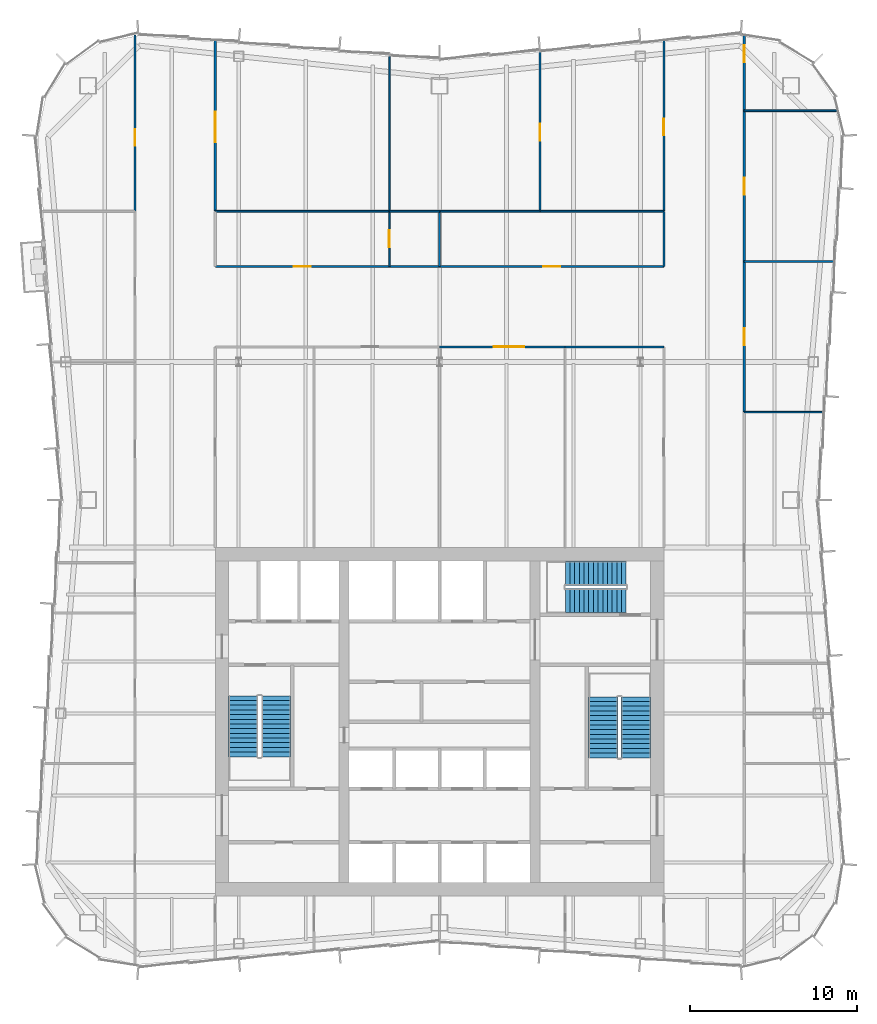
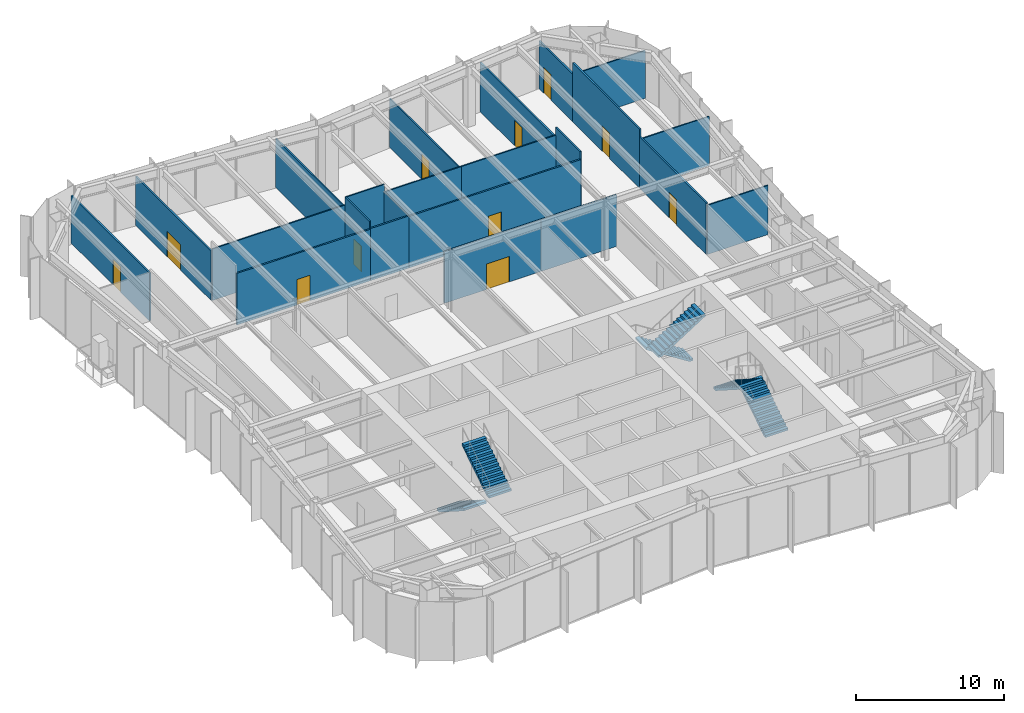
# One storey, part 13 of 15: 23 walls, 11 doors, 6 stair flights, 11 openings, 3 elements without a shape of their own.
"""IFC4 building model written with IfcOpenShell, lengths in metres."""

from ifc_helpers import new_model, si_unit, direction, frame, frame_2d, origin, place, context, subcontext, project, spatial, polyline, rectangle, outline, extrude, material, layer, layer_set, type_object, element, fill, aggregate, save


model = new_model("IFC4")

# Units and contexts
model_context = context("Model", 3, precision=1e-05, world=origin(), true_north=direction((0.0, 1.0)))
body_context = subcontext(model_context, "Body", "Model", "MODEL_VIEW")
ifc_project = project(units=[si_unit("LENGTHUNIT", "METRE"), si_unit("AREAUNIT", "SQUARE_METRE"), si_unit("VOLUMEUNIT", "CUBIC_METRE"), si_unit("PLANEANGLEUNIT", "RADIAN"), si_unit("MASSUNIT", "GRAM", prefix="KILO")], contexts=[model_context])

# Site, building, storey
site_placement = place(None, origin())
site = spatial("IfcSite", under=ifc_project, at=site_placement, CompositionType="ELEMENT")
building_placement = place(site_placement, origin())
building = spatial("IfcBuilding", under=site, at=building_placement, Name="Verdant Reach Tower", CompositionType="ELEMENT")
storey_placement = place(building_placement, frame((0.0, 0.0, 233.0)))
storey = spatial("IfcBuildingStorey", under=building, at=storey_placement, Name="L53", CompositionType="ELEMENT", Elevation=233.0)

# Walls
ifc_material_1 = material(Name="Gypsum board on steel studs", Category="steel")
ifc_layer_1 = layer(ifc_material_1, 0.10009765625)
ifc_layer_set_1 = layer_set([ifc_layer_1], Name="FL-W1 Partition 100")
wall_type_1 = type_object("IfcWallType", Name="FL-W1 Partition 100", PredefinedType="PARTITIONING", material=ifc_layer_set_1)
wall_1_placement = place(storey_placement, frame((22.942138671875, 46.5, 0.0), z_axis=(0.0, 0.0, 1.0), x_axis=(-1.0, 0.0, 0.0)))
element("IfcWall", 1, at=wall_1_placement, inside=storey, type_object=wall_type_1, Name="Partition 53.39", PredefinedType="PARTITIONING", context=body_context, shape_type="SweptSolid", body=[
    extrude(rectangle(XDim=4.7421875, YDim=0.10009765625, at=frame_2d((2.37109375, 0.0))), origin(), (0.0, 0.0, 1.0), 4.0400390625),
])
wall_2_placement = place(storey_placement, frame((23.562744140625, 55.5, 0.0), z_axis=(0.0, 0.0, 1.0), x_axis=(-1.0, 0.0, 0.0)))
element("IfcWall", 2, at=wall_2_placement, inside=storey, type_object=wall_type_1, Name="Partition 53.40", PredefinedType="PARTITIONING", context=body_context, shape_type="SweptSolid", body=[
    extrude(rectangle(XDim=5.36279296875, YDim=0.10009765625, at=frame_2d((2.681396484375, 0.0))), origin(), (0.0, 0.0, 1.0), 4.0400390625),
])
wall_3_placement = place(storey_placement, frame((23.781494140625, 64.5, 0.0), z_axis=(0.0, 0.0, 1.0), x_axis=(-1.0, 0.0, 0.0)))
element("IfcWall", 3, at=wall_3_placement, inside=storey, type_object=wall_type_1, Name="Partition 53.41", PredefinedType="PARTITIONING", context=body_context, shape_type="SweptSolid", body=[
    extrude(rectangle(XDim=5.58154296875, YDim=0.10009765625, at=frame_2d((2.790771484375, 0.0))), origin(), (0.0, 0.0, 1.0), 3.929931640625),
])

# Wall, opening, door
wall_4_placement = place(storey_placement, frame((-3.0, 58.5, 0.0), z_axis=(0.0, 0.0, 1.0), x_axis=(0.0, -1.0, 0.0)))
wall_4 = element("IfcWall", 4, at=wall_4_placement, inside=storey, type_object=wall_type_1, Name="Partition 53.48", PredefinedType="PARTITIONING", context=body_context, shape_type="SweptSolid", body=[
    extrude(rectangle(XDim=3.300048828125, YDim=0.10009765625, at=frame_2d((1.64990234375, 0.0))), origin(), (0.0, 0.0, 1.0), 4.8701171875),
])
opening_1_placement = place(wall_4_placement, frame((1.14990234375, 0.0, 0.0)))
opening_1 = element("IfcOpeningElement", 5, at=opening_1_placement, cuts=wall_4, Name="Opening D3", PredefinedType="OPENING", context=body_context, shape_type="SweptSolid", body=[
    extrude(rectangle(XDim=1.0, YDim=2.10009765625, at=frame_2d((0.5, 1.050048828125))), frame((0.0, 0.06005859375, 0.0), z_axis=(0.0, -1.0, 0.0), x_axis=(1.0, 0.0, 0.0)), (0.0, 0.0, 1.0), 0.1201171875),
])
ifc_material_2 = material(Name="Painted timber door leaf", Category="wood")
door_type_1 = type_object("IfcDoorType", Name="FL-D3 Door 1000x2100", OperationType="NOTDEFINED", PredefinedType="DOOR", material=ifc_material_2)
door_1_placement = place(opening_1_placement, origin())
door_1 = element("IfcDoor", 6, at=door_1_placement, inside=storey, type_object=door_type_1, Name="Door 53-027", OperationType="SINGLE_SWING_LEFT", OverallHeight=2.10009765625, OverallWidth=1.0, PredefinedType="DOOR", context=body_context, shape_type="SweptSolid", body=[
    extrude(rectangle(XDim=1.0, YDim=2.10009765625, at=frame_2d((0.5, 1.050048828125))), frame((0.0, 0.02490234375, 0.0), z_axis=(0.0, -1.0, 0.0), x_axis=(1.0, 0.0, 0.0)), (0.0, 0.0, 1.0), 0.050048828125),
])
fill(opening_1, door_1)

# Walls
wall_5_placement = place(storey_placement, frame((-3.0, 58.5, 0.0), z_axis=(0.0, 0.0, 1.0), x_axis=(-1.0, 0.0, 0.0)))
element("IfcWall", 7, at=wall_5_placement, inside=storey, type_object=wall_type_1, Name="Partition 53.49", PredefinedType="PARTITIONING", context=body_context, shape_type="SweptSolid", body=[
    extrude(rectangle(XDim=10.39990234375, YDim=0.10009765625, at=frame_2d((5.199951171875, 0.0))), origin(), (0.0, 0.0, 1.0), 4.239990234375),
])
wall_6_placement = place(storey_placement, frame((0.0, 55.199951171875, 0.0), z_axis=(0.0, 0.0, 1.0), x_axis=(0.0, 1.0, 0.0)))
element("IfcWall", 8, at=wall_6_placement, inside=storey, type_object=wall_type_1, Name="Partition 53.50", PredefinedType="PARTITIONING", context=body_context, shape_type="SweptSolid", body=[
    extrude(rectangle(XDim=3.300048828125, YDim=0.10009765625, at=frame_2d((1.64990234375, 0.0))), origin(), (0.0, 0.0, 1.0), 4.2900390625),
])
wall_7_placement = place(storey_placement, frame((0.00390625, 58.5, 0.0), z_axis=(0.0, 0.0, 1.0), x_axis=(-1.0, 0.0, 0.0)))
element("IfcWall", 9, at=wall_7_placement, inside=storey, type_object=wall_type_1, Name="Partition 53.51", PredefinedType="PARTITIONING", context=body_context, shape_type="SweptSolid", body=[
    extrude(rectangle(XDim=3.00390625, YDim=0.10009765625, at=frame_2d((1.501953125, 0.0))), origin(), (0.0, 0.0, 1.0), 4.8701171875),
])
wall_8_placement = place(storey_placement, frame((6.0, 58.5, 0.0), z_axis=(0.0, 0.0, 1.0), x_axis=(-1.0, 0.0, 0.0)))
element("IfcWall", 10, at=wall_8_placement, inside=storey, type_object=wall_type_1, Name="Partition 53.52", PredefinedType="PARTITIONING", context=body_context, shape_type="SweptSolid", body=[
    extrude(rectangle(XDim=6.00390625, YDim=0.10009765625, at=frame_2d((3.001953125, 0.0))), origin(), (0.0, 0.0, 1.0), 4.239990234375),
])
wall_9_placement = place(storey_placement, frame((13.39990234375, 58.5, 0.0), z_axis=(0.0, 0.0, 1.0), x_axis=(-1.0, 0.0, 0.0)))
element("IfcWall", 11, at=wall_9_placement, inside=storey, type_object=wall_type_1, Name="Partition 53.53", PredefinedType="PARTITIONING", context=body_context, shape_type="SweptSolid", body=[
    extrude(rectangle(XDim=7.39990234375, YDim=0.10009765625, at=frame_2d((3.699951171875, 0.0))), origin(), (0.0, 0.0, 1.0), 4.239990234375),
])
wall_10_placement = place(storey_placement, frame((-3.0, 58.5, 0.0), z_axis=(0.0, 0.0, 1.0), x_axis=(0.0, 1.0, 0.0)))
element("IfcWall", 12, at=wall_10_placement, inside=storey, type_object=wall_type_1, Name="Partition 53.54", PredefinedType="PARTITIONING", context=body_context, shape_type="SweptSolid", body=[
    extrude(rectangle(XDim=9.330078125, YDim=0.10009765625, at=frame_2d((4.6650390625, 0.0))), origin(), (0.0, 0.0, 1.0), 4.0400390625),
])

# Wall, opening, door
wall_11_placement = place(storey_placement, frame((6.0, 58.5, 0.0), z_axis=(0.0, 0.0, 1.0), x_axis=(0.0, 1.0, 0.0)))
wall_11 = element("IfcWall", 13, at=wall_11_placement, inside=storey, type_object=wall_type_1, Name="Partition 53.55", PredefinedType="PARTITIONING", context=body_context, shape_type="SweptSolid", body=[
    extrude(rectangle(XDim=9.580078125, YDim=0.10009765625, at=frame_2d((4.7900390625, 0.0))), origin(), (0.0, 0.0, 1.0), 4.0400390625),
])
opening_2_placement = place(wall_11_placement, frame((4.224853515625, 0.0, 0.0)))
opening_2 = element("IfcOpeningElement", 14, at=opening_2_placement, cuts=wall_11, Name="Opening D3", PredefinedType="OPENING", context=body_context, shape_type="SweptSolid", body=[
    extrude(rectangle(XDim=1.0, YDim=2.10009765625, at=frame_2d((0.5, 1.050048828125))), frame((0.0, 0.06005859375, 0.0), z_axis=(0.0, -1.0, 0.0), x_axis=(1.0, 0.0, 0.0)), (0.0, 0.0, 1.0), 0.1201171875),
])
door_2_placement = place(opening_2_placement, origin())
door_2 = element("IfcDoor", 15, at=door_2_placement, inside=storey, type_object=door_type_1, Name="Door 53-028", OperationType="SINGLE_SWING_LEFT", OverallHeight=2.10009765625, OverallWidth=1.0, PredefinedType="DOOR", context=body_context, shape_type="SweptSolid", body=[
    extrude(rectangle(XDim=1.0, YDim=2.10009765625, at=frame_2d((0.5, 1.050048828125))), frame((0.0, 0.02490234375, 0.0), z_axis=(0.0, -1.0, 0.0), x_axis=(1.0, 0.0, 0.0)), (0.0, 0.0, 1.0), 0.050048828125),
])
fill(opening_2, door_2)

ifc_material_3 = material(Name="Gypsum board on steel studs, fire rated", Category="steel")
ifc_layer_2 = layer(ifc_material_3, 0.125)
ifc_layer_set_2 = layer_set([ifc_layer_2], Name="FL-W2 Corridor wall 125")
wall_type_2 = type_object("IfcWallType", Name="FL-W2 Corridor wall 125", PredefinedType="PARTITIONING", material=ifc_layer_set_2)
wall_12_placement = place(storey_placement, frame((-18.199951171875, 58.5, 0.0), z_axis=(0.0, 0.0, 1.0), x_axis=(0.0, 1.0, 0.0)))
wall_12 = element("IfcWall", 16, at=wall_12_placement, inside=storey, type_object=wall_type_2, Name="Partition 53.06", PredefinedType="PARTITIONING", context=body_context, shape_type="SweptSolid", body=[
    extrude(rectangle(XDim=10.540283203125, YDim=0.125, at=frame_2d((5.27001953125, 0.0))), origin(), (0.0, 0.0, 1.0), 3.929931640625),
])
opening_3_placement = place(wall_12_placement, frame((3.904541015625, 0.0, 0.0)))
opening_3 = element("IfcOpeningElement", 17, at=opening_3_placement, cuts=wall_12, Name="Opening D2", PredefinedType="OPENING", context=body_context, shape_type="SweptSolid", body=[
    extrude(rectangle(XDim=1.0, YDim=2.10009765625, at=frame_2d((0.5, 1.050048828125))), frame((0.0, 0.072509765625, 0.0), z_axis=(0.0, -1.0, 0.0), x_axis=(1.0, 0.0, 0.0)), (0.0, 0.0, 1.0), 0.14501953125),
])
ifc_material_4 = material(Name="Timber door leaf, fire rated", Category="wood")
door_type_2 = type_object("IfcDoorType", Name="FL-D2 Entrance door 1000x2100 FD30", OperationType="NOTDEFINED", PredefinedType="DOOR", material=ifc_material_4)
door_3_placement = place(opening_3_placement, origin())
door_3 = element("IfcDoor", 18, at=door_3_placement, inside=storey, type_object=door_type_2, Name="Door 53-006", OperationType="SINGLE_SWING_LEFT", OverallHeight=2.10009765625, OverallWidth=1.0, PredefinedType="DOOR", context=body_context, shape_type="SweptSolid", body=[
    extrude(rectangle(XDim=1.0, YDim=2.10009765625, at=frame_2d((0.5, 1.050048828125))), frame((0.0, 0.02490234375, 0.0), z_axis=(0.0, -1.0, 0.0), x_axis=(1.0, 0.0, 0.0)), (0.0, 0.0, 1.0), 0.050048828125),
])
fill(opening_3, door_3)

wall_13_placement = place(storey_placement, frame((18.199951171875, 55.5, 0.0), z_axis=(0.0, 0.0, 1.0), x_axis=(0.0, -1.0, 0.0)))
wall_13 = element("IfcWall", 19, at=wall_13_placement, inside=storey, type_object=wall_type_2, Name="Partition 53.12", PredefinedType="PARTITIONING", context=body_context, shape_type="SweptSolid", body=[
    extrude(rectangle(XDim=9.0, YDim=0.125, at=frame_2d((4.5, 0.0))), origin(), (0.0, 0.0, 1.0), 4.239990234375),
])
opening_4_placement = place(wall_13_placement, frame((4.0, 0.0, 0.0)))
opening_4 = element("IfcOpeningElement", 20, at=opening_4_placement, cuts=wall_13, Name="Opening D2", PredefinedType="OPENING", context=body_context, shape_type="SweptSolid", body=[
    extrude(rectangle(XDim=1.0, YDim=2.10009765625, at=frame_2d((0.5, 1.050048828125))), frame((0.0, 0.072509765625, 0.0), z_axis=(0.0, -1.0, 0.0), x_axis=(1.0, 0.0, 0.0)), (0.0, 0.0, 1.0), 0.14501953125),
])
door_4_placement = place(opening_4_placement, origin())
door_4 = element("IfcDoor", 21, at=door_4_placement, inside=storey, type_object=door_type_2, Name="Door 53-012", OperationType="SINGLE_SWING_RIGHT", OverallHeight=2.10009765625, OverallWidth=1.0, PredefinedType="DOOR", context=body_context, shape_type="SweptSolid", body=[
    extrude(rectangle(XDim=1.0, YDim=2.10009765625, at=frame_2d((0.5, 1.050048828125))), frame((0.0, 0.02490234375, 0.0), z_axis=(0.0, -1.0, 0.0), x_axis=(1.0, 0.0, 0.0)), (0.0, 0.0, 1.0), 0.050048828125),
])
fill(opening_4, door_4)

wall_14_placement = place(storey_placement, frame((18.199951171875, 64.5, 0.0), z_axis=(0.0, 0.0, 1.0), x_axis=(0.0, -1.0, 0.0)))
wall_14 = element("IfcWall", 22, at=wall_14_placement, inside=storey, type_object=wall_type_2, Name="Partition 53.13", PredefinedType="PARTITIONING", context=body_context, shape_type="SweptSolid", body=[
    extrude(rectangle(XDim=9.0, YDim=0.125, at=frame_2d((4.5, 0.0))), origin(), (0.0, 0.0, 1.0), 4.8701171875),
])
opening_5_placement = place(wall_14_placement, frame((4.0, 0.0, 0.0)))
opening_5 = element("IfcOpeningElement", 23, at=opening_5_placement, cuts=wall_14, Name="Opening D2", PredefinedType="OPENING", context=body_context, shape_type="SweptSolid", body=[
    extrude(rectangle(XDim=1.0, YDim=2.10009765625, at=frame_2d((0.5, 1.050048828125))), frame((0.0, 0.072509765625, 0.0), z_axis=(0.0, -1.0, 0.0), x_axis=(1.0, 0.0, 0.0)), (0.0, 0.0, 1.0), 0.14501953125),
])
door_5_placement = place(opening_5_placement, origin())
door_5 = element("IfcDoor", 24, at=door_5_placement, inside=storey, type_object=door_type_2, Name="Door 53-013", OperationType="SINGLE_SWING_LEFT", OverallHeight=2.10009765625, OverallWidth=1.0, PredefinedType="DOOR", context=body_context, shape_type="SweptSolid", body=[
    extrude(rectangle(XDim=1.0, YDim=2.10009765625, at=frame_2d((0.5, 1.050048828125))), frame((0.0, 0.02490234375, 0.0), z_axis=(0.0, -1.0, 0.0), x_axis=(1.0, 0.0, 0.0)), (0.0, 0.0, 1.0), 0.050048828125),
])
fill(opening_5, door_5)

wall_15_placement = place(storey_placement, frame((18.199951171875, 69.040283203125, 0.0), z_axis=(0.0, 0.0, 1.0), x_axis=(0.0, -1.0, 0.0)))
wall_15 = element("IfcWall", 25, at=wall_15_placement, inside=storey, type_object=wall_type_2, Name="Partition 53.14", PredefinedType="PARTITIONING", context=body_context, shape_type="SweptSolid", body=[
    extrude(rectangle(XDim=4.540283203125, YDim=0.125, at=frame_2d((2.27001953125, 0.0))), origin(), (0.0, 0.0, 1.0), 3.929931640625),
])
opening_6_placement = place(wall_15_placement, frame((0.635498046875, 0.0, 0.0)))
opening_6 = element("IfcOpeningElement", 26, at=opening_6_placement, cuts=wall_15, Name="Opening D2", PredefinedType="OPENING", context=body_context, shape_type="SweptSolid", body=[
    extrude(rectangle(XDim=1.0, YDim=2.10009765625, at=frame_2d((0.5, 1.050048828125))), frame((0.0, 0.072509765625, 0.0), z_axis=(0.0, -1.0, 0.0), x_axis=(1.0, 0.0, 0.0)), (0.0, 0.0, 1.0), 0.14501953125),
])
door_6_placement = place(opening_6_placement, origin())
door_6 = element("IfcDoor", 27, at=door_6_placement, inside=storey, type_object=door_type_2, Name="Door 53-014", OperationType="SINGLE_SWING_LEFT", OverallHeight=2.10009765625, OverallWidth=1.0, PredefinedType="DOOR", context=body_context, shape_type="SweptSolid", body=[
    extrude(rectangle(XDim=1.0, YDim=2.10009765625, at=frame_2d((0.5, 1.050048828125))), frame((0.0, 0.02490234375, 0.0), z_axis=(0.0, -1.0, 0.0), x_axis=(1.0, 0.0, 0.0)), (0.0, 0.0, 1.0), 0.050048828125),
])
fill(opening_6, door_6)

# Wall
wall_16_placement = place(storey_placement, frame((13.39990234375, 50.39990234375, 0.0), z_axis=(0.0, 0.0, 1.0), x_axis=(-1.0, 0.0, 0.0)))
element("IfcWall", 28, at=wall_16_placement, inside=storey, type_object=wall_type_2, Name="Partition 53.20", PredefinedType="PARTITIONING", context=body_context, shape_type="SweptSolid", body=[
    extrude(rectangle(XDim=5.89990234375, YDim=0.125, at=frame_2d((2.949951171875, 0.0))), origin(), (0.0, 0.0, 1.0), 4.239990234375),
])

# Wall, opening, door
wall_17_placement = place(storey_placement, frame((7.5, 50.39990234375, 0.0), z_axis=(0.0, 0.0, 1.0), x_axis=(-1.0, 0.0, 0.0)))
wall_17 = element("IfcWall", 29, at=wall_17_placement, inside=storey, type_object=wall_type_2, Name="Partition 53.22", PredefinedType="PARTITIONING", context=body_context, shape_type="SweptSolid", body=[
    extrude(rectangle(XDim=7.5, YDim=0.125, at=frame_2d((3.75, 0.0))), origin(), (0.0, 0.0, 1.0), 4.239990234375),
])
opening_7_placement = place(wall_17_placement, frame((2.449951171875, 0.0, 0.0)))
opening_7 = element("IfcOpeningElement", 30, at=opening_7_placement, cuts=wall_17, Name="Opening D4", PredefinedType="OPENING", context=body_context, shape_type="SweptSolid", body=[
    extrude(rectangle(XDim=1.800048828125, YDim=2.10009765625, at=frame_2d((0.89990234375, 1.050048828125))), frame((0.0, 0.072509765625, 0.0), z_axis=(0.0, -1.0, 0.0), x_axis=(1.0, 0.0, 0.0)), (0.0, 0.0, 1.0), 0.14501953125),
])
ifc_material_5 = material(Name="Timber door leaves, fire rated", Category="wood")
door_type_3 = type_object("IfcDoorType", Name="FL-D4 Double door 1800x2100 FD30", OperationType="DOUBLE_DOOR_SINGLE_SWING", PredefinedType="DOOR", material=ifc_material_5)
door_7_placement = place(opening_7_placement, origin())
door_7 = element("IfcDoor", 31, at=door_7_placement, inside=storey, type_object=door_type_3, Name="Door 53-020", OperationType="DOUBLE_DOOR_SINGLE_SWING", OverallHeight=2.10009765625, OverallWidth=1.800048828125, PredefinedType="DOOR", context=body_context, shape_type="SweptSolid", body=[
    extrude(rectangle(XDim=1.800048828125, YDim=2.10009765625, at=frame_2d((0.89990234375, 1.050048828125))), frame((0.0, 0.02490234375, 0.0), z_axis=(0.0, -1.0, 0.0), x_axis=(1.0, 0.0, 0.0)), (0.0, 0.0, 1.0), 0.050048828125),
])
fill(opening_7, door_7)

wall_18_placement = place(storey_placement, frame((-13.39990234375, 55.199951171875, 0.0), z_axis=(0.0, 0.0, 1.0), x_axis=(1.0, 0.0, 0.0)))
wall_18 = element("IfcWall", 32, at=wall_18_placement, inside=storey, type_object=wall_type_2, Name="Partition 53.23", PredefinedType="PARTITIONING", context=body_context, shape_type="SweptSolid", body=[
    extrude(rectangle(XDim=10.39990234375, YDim=0.125, at=frame_2d((5.199951171875, 0.0))), origin(), (0.0, 0.0, 1.0), 4.239990234375),
])
opening_8_placement = place(wall_18_placement, frame((4.699951171875, 0.0, 0.0)))
opening_8 = element("IfcOpeningElement", 33, at=opening_8_placement, cuts=wall_18, Name="Opening D2", PredefinedType="OPENING", context=body_context, shape_type="SweptSolid", body=[
    extrude(rectangle(XDim=1.0, YDim=2.10009765625, at=frame_2d((0.5, 1.050048828125))), frame((0.0, 0.072509765625, 0.0), z_axis=(0.0, -1.0, 0.0), x_axis=(1.0, 0.0, 0.0)), (0.0, 0.0, 1.0), 0.14501953125),
])
door_8_placement = place(opening_8_placement, origin())
door_8 = element("IfcDoor", 34, at=door_8_placement, inside=storey, type_object=door_type_2, Name="Door 53-021", OperationType="SINGLE_SWING_LEFT", OverallHeight=2.10009765625, OverallWidth=1.0, PredefinedType="DOOR", context=body_context, shape_type="SweptSolid", body=[
    extrude(rectangle(XDim=1.0, YDim=2.10009765625, at=frame_2d((0.5, 1.050048828125))), frame((0.0, 0.02490234375, 0.0), z_axis=(0.0, -1.0, 0.0), x_axis=(1.0, 0.0, 0.0)), (0.0, 0.0, 1.0), 0.050048828125),
])
fill(opening_8, door_8)

# Walls
wall_19_placement = place(storey_placement, frame((0.0, 55.199951171875, 0.0), z_axis=(0.0, 0.0, 1.0), x_axis=(-1.0, 0.0, 0.0)))
element("IfcWall", 35, at=wall_19_placement, inside=storey, type_object=wall_type_2, Name="Partition 53.25", PredefinedType="PARTITIONING", context=body_context, shape_type="SweptSolid", body=[
    extrude(rectangle(XDim=3.0, YDim=0.125, at=frame_2d((1.5, 0.0))), origin(), (0.0, 0.0, 1.0), 4.2900390625),
])
wall_20_placement = place(storey_placement, frame((13.39990234375, 55.199951171875, 0.0), z_axis=(0.0, 0.0, 1.0), x_axis=(0.0, 1.0, 0.0)))
element("IfcWall", 36, at=wall_20_placement, inside=storey, type_object=wall_type_2, Name="Partition 53.26", PredefinedType="PARTITIONING", context=body_context, shape_type="SweptSolid", body=[
    extrude(rectangle(XDim=3.300048828125, YDim=0.125, at=frame_2d((1.64990234375, 0.0))), origin(), (0.0, 0.0, 1.0), 4.8701171875),
])

# Wall, opening, door
wall_21_placement = place(storey_placement, frame((0.0, 55.199951171875, 0.0), z_axis=(0.0, 0.0, 1.0), x_axis=(1.0, 0.0, 0.0)))
wall_21 = element("IfcWall", 37, at=wall_21_placement, inside=storey, type_object=wall_type_2, Name="Partition 53.27", PredefinedType="PARTITIONING", context=body_context, shape_type="SweptSolid", body=[
    extrude(rectangle(XDim=13.39990234375, YDim=0.125, at=frame_2d((6.699951171875, 0.0))), origin(), (0.0, 0.0, 1.0), 4.239990234375),
])
opening_9_placement = place(wall_21_placement, frame((6.199951171875, 0.0, 0.0)))
opening_9 = element("IfcOpeningElement", 38, at=opening_9_placement, cuts=wall_21, Name="Opening D2", PredefinedType="OPENING", context=body_context, shape_type="SweptSolid", body=[
    extrude(rectangle(XDim=1.0, YDim=2.10009765625, at=frame_2d((0.5, 1.050048828125))), frame((0.0, 0.072509765625, 0.0), z_axis=(0.0, -1.0, 0.0), x_axis=(1.0, 0.0, 0.0)), (0.0, 0.0, 1.0), 0.14501953125),
])
door_9_placement = place(opening_9_placement, origin())
door_9 = element("IfcDoor", 39, at=door_9_placement, inside=storey, type_object=door_type_2, Name="Door 53-022", OperationType="SINGLE_SWING_RIGHT", OverallHeight=2.10009765625, OverallWidth=1.0, PredefinedType="DOOR", context=body_context, shape_type="SweptSolid", body=[
    extrude(rectangle(XDim=1.0, YDim=2.10009765625, at=frame_2d((0.5, 1.050048828125))), frame((0.0, 0.02490234375, 0.0), z_axis=(0.0, -1.0, 0.0), x_axis=(1.0, 0.0, 0.0)), (0.0, 0.0, 1.0), 0.050048828125),
])
fill(opening_9, door_9)

wall_22_placement = place(storey_placement, frame((-13.39990234375, 58.5, 0.0), z_axis=(0.0, 0.0, 1.0), x_axis=(0.0, 1.0, 0.0)))
wall_22 = element("IfcWall", 40, at=wall_22_placement, inside=storey, type_object=wall_type_2, Name="Partition 53.28", PredefinedType="PARTITIONING", context=body_context, shape_type="SweptSolid", body=[
    extrude(rectangle(XDim=10.19677734375, YDim=0.125, at=frame_2d((5.098388671875, 0.0))), origin(), (0.0, 0.0, 1.0), 4.0400390625),
])
opening_10_placement = place(wall_22_placement, frame((4.13330078125, 0.0, 0.0)))
opening_10 = element("IfcOpeningElement", 41, at=opening_10_placement, cuts=wall_22, Name="Opening D4", PredefinedType="OPENING", context=body_context, shape_type="SweptSolid", body=[
    extrude(rectangle(XDim=1.800048828125, YDim=2.10009765625, at=frame_2d((0.89990234375, 1.050048828125))), frame((0.0, 0.072509765625, 0.0), z_axis=(0.0, -1.0, 0.0), x_axis=(1.0, 0.0, 0.0)), (0.0, 0.0, 1.0), 0.14501953125),
])
door_10_placement = place(opening_10_placement, origin())
door_10 = element("IfcDoor", 42, at=door_10_placement, inside=storey, type_object=door_type_3, Name="Door 53-023", OperationType="DOUBLE_DOOR_SINGLE_SWING", OverallHeight=2.10009765625, OverallWidth=1.800048828125, PredefinedType="DOOR", context=body_context, shape_type="SweptSolid", body=[
    extrude(rectangle(XDim=1.800048828125, YDim=2.10009765625, at=frame_2d((0.89990234375, 1.050048828125))), frame((0.0, 0.02490234375, 0.0), z_axis=(0.0, -1.0, 0.0), x_axis=(1.0, 0.0, 0.0)), (0.0, 0.0, 1.0), 0.050048828125),
])
fill(opening_10, door_10)

wall_23_placement = place(storey_placement, frame((13.39990234375, 58.5, 0.0), z_axis=(0.0, 0.0, 1.0), x_axis=(0.0, 1.0, 0.0)))
wall_23 = element("IfcWall", 43, at=wall_23_placement, inside=storey, type_object=wall_type_2, Name="Partition 53.29", PredefinedType="PARTITIONING", context=body_context, shape_type="SweptSolid", body=[
    extrude(rectangle(XDim=10.19677734375, YDim=0.125, at=frame_2d((5.098388671875, 0.0))), origin(), (0.0, 0.0, 1.0), 4.0400390625),
])
opening_11_placement = place(wall_23_placement, frame((4.533203125, 0.0, 0.0)))
opening_11 = element("IfcOpeningElement", 44, at=opening_11_placement, cuts=wall_23, Name="Opening D2", PredefinedType="OPENING", context=body_context, shape_type="SweptSolid", body=[
    extrude(rectangle(XDim=1.0, YDim=2.10009765625, at=frame_2d((0.5, 1.050048828125))), frame((0.0, 0.072509765625, 0.0), z_axis=(0.0, -1.0, 0.0), x_axis=(1.0, 0.0, 0.0)), (0.0, 0.0, 1.0), 0.14501953125),
])
door_11_placement = place(opening_11_placement, origin())
door_11 = element("IfcDoor", 45, at=door_11_placement, inside=storey, type_object=door_type_2, Name="Door 53-024", OperationType="SINGLE_SWING_LEFT", OverallHeight=2.10009765625, OverallWidth=1.0, PredefinedType="DOOR", context=body_context, shape_type="SweptSolid", body=[
    extrude(rectangle(XDim=1.0, YDim=2.10009765625, at=frame_2d((0.5, 1.050048828125))), frame((0.0, 0.02490234375, 0.0), z_axis=(0.0, -1.0, 0.0), x_axis=(1.0, 0.0, 0.0)), (0.0, 0.0, 1.0), 0.050048828125),
])
fill(opening_11, door_11)

# Stair, stair flights
ifc_material_6 = material(Name="Concrete C40/50", Category="concrete")
stair_type = type_object("IfcStairType", Name="CO-STAIR", PredefinedType="HALF_TURN_STAIR", material=ifc_material_6)
stair_1_placement = place(storey_placement, origin())
stair_1 = element("IfcStair", 46, at=stair_1_placement, inside=storey, type_object=stair_type, Name="L53 Exit stair 1", PredefinedType="HALF_TURN_STAIR")
stair_flight_type = type_object("IfcStairFlightType", Name="CO-STAIR-FLIGHT", PredefinedType="STRAIGHT", material=ifc_material_6)
stair_flight_1_placement = place(storey_placement, frame((-11.72509765625, 29.550048828125, 0.0), z_axis=(0.0, 0.0, 1.0), x_axis=(0.0, -1.0, 0.0)))
stair_flight_1 = element("IfcStairFlight", 47, at=stair_flight_1_placement, type_object=stair_flight_type, Name="ST-1 flight 1", NumberOfRisers=14, NumberOfTreads=13, PredefinedType="STRAIGHT", RiserHeight=0.178571429, TreadLength=0.28, context=body_context, shape_type="SweptSolid", body=[
    extrude(outline(polyline([(0.0, 0.0), (0.0, 0.178466796875), (0.280029296875, 0.178466796875), (0.280029296875, 0.357177734375), (0.56005859375, 0.357177734375), (0.56005859375, 0.53564453125), (0.840087890625, 0.53564453125), (0.840087890625, 0.71435546875), (1.1201171875, 0.71435546875), (1.1201171875, 0.892822265625), (1.39990234375, 0.892822265625), (1.39990234375, 1.071533203125), (1.679931640625, 1.071533203125), (1.679931640625, 1.25), (1.9599609375, 1.25), (1.9599609375, 1.428466796875), (2.239990234375, 1.428466796875), (2.239990234375, 1.607177734375), (2.52001953125, 1.607177734375), (2.52001953125, 1.78564453125), (2.800048828125, 1.78564453125), (2.800048828125, 1.96435546875), (3.080078125, 1.96435546875), (3.080078125, 2.142822265625), (3.360107421875, 2.142822265625), (3.360107421875, 2.321533203125), (3.639892578125, 2.321533203125), (3.639892578125, 2.5), (3.639892578125, 2.1435546875), (0.27880859375, 0.0), (0.0, 0.0)])), frame((0.0, 0.875, 0.0), z_axis=(0.0, -1.0, 0.0), x_axis=(1.0, 0.0, 0.0)), (0.0, 0.0, 1.0), 1.75),
])
stair_flight_2_placement = place(storey_placement, frame((-9.77490234375, 25.909912109375, 2.5), z_axis=(0.0, 0.0, 1.0), x_axis=(0.0, 1.0, 0.0)))
stair_flight_2 = element("IfcStairFlight", 48, at=stair_flight_2_placement, type_object=stair_flight_type, Name="ST-1 flight 2", NumberOfRisers=14, NumberOfTreads=13, PredefinedType="STRAIGHT", RiserHeight=0.178571429, TreadLength=0.28, context=body_context, shape_type="SweptSolid", body=[
    extrude(outline(polyline([(0.0, 0.0), (0.0, 0.178466796875), (0.280029296875, 0.178466796875), (0.280029296875, 0.357177734375), (0.56005859375, 0.357177734375), (0.56005859375, 0.53564453125), (0.840087890625, 0.53564453125), (0.840087890625, 0.71435546875), (1.1201171875, 0.71435546875), (1.1201171875, 0.892822265625), (1.39990234375, 0.892822265625), (1.39990234375, 1.071533203125), (1.679931640625, 1.071533203125), (1.679931640625, 1.25), (1.9599609375, 1.25), (1.9599609375, 1.428466796875), (2.239990234375, 1.428466796875), (2.239990234375, 1.607177734375), (2.52001953125, 1.607177734375), (2.52001953125, 1.78564453125), (2.800048828125, 1.78564453125), (2.800048828125, 1.96435546875), (3.080078125, 1.96435546875), (3.080078125, 2.142822265625), (3.360107421875, 2.142822265625), (3.360107421875, 2.321533203125), (3.639892578125, 2.321533203125), (3.639892578125, 2.5), (3.639892578125, 2.1435546875), (0.27880859375, 0.0), (0.0, 0.0)])), frame((0.0, 0.875, 0.0), z_axis=(0.0, -1.0, 0.0), x_axis=(1.0, 0.0, 0.0)), (0.0, 0.0, 1.0), 1.75),
])
aggregate(stair_1, [stair_flight_1, stair_flight_2])

stair_2_placement = place(storey_placement, origin())
stair_2 = element("IfcStair", 49, at=stair_2_placement, inside=storey, type_object=stair_type, Name="L53 Exit stair 2", PredefinedType="HALF_TURN_STAIR")
stair_flight_3_placement = place(storey_placement, frame((11.72509765625, 25.85009765625, 0.0), z_axis=(0.0, 0.0, 1.0), x_axis=(0.0, 1.0, 0.0)))
stair_flight_3 = element("IfcStairFlight", 50, at=stair_flight_3_placement, type_object=stair_flight_type, Name="ST-2 flight 1", NumberOfRisers=14, NumberOfTreads=13, PredefinedType="STRAIGHT", RiserHeight=0.178571429, TreadLength=0.28, context=body_context, shape_type="SweptSolid", body=[
    extrude(outline(polyline([(0.0, 0.0), (0.0, 0.178466796875), (0.280029296875, 0.178466796875), (0.280029296875, 0.357177734375), (0.56005859375, 0.357177734375), (0.56005859375, 0.53564453125), (0.840087890625, 0.53564453125), (0.840087890625, 0.71435546875), (1.1201171875, 0.71435546875), (1.1201171875, 0.892822265625), (1.39990234375, 0.892822265625), (1.39990234375, 1.071533203125), (1.679931640625, 1.071533203125), (1.679931640625, 1.25), (1.9599609375, 1.25), (1.9599609375, 1.428466796875), (2.239990234375, 1.428466796875), (2.239990234375, 1.607177734375), (2.52001953125, 1.607177734375), (2.52001953125, 1.78564453125), (2.800048828125, 1.78564453125), (2.800048828125, 1.96435546875), (3.080078125, 1.96435546875), (3.080078125, 2.142822265625), (3.360107421875, 2.142822265625), (3.360107421875, 2.321533203125), (3.639892578125, 2.321533203125), (3.639892578125, 2.5), (3.639892578125, 2.1435546875), (0.27880859375, 0.0), (0.0, 0.0)])), frame((0.0, 0.875, 0.0), z_axis=(0.0, -1.0, 0.0), x_axis=(1.0, 0.0, 0.0)), (0.0, 0.0, 1.0), 1.75),
])
stair_flight_4_placement = place(storey_placement, frame((9.77490234375, 29.489990234375, 2.5), z_axis=(0.0, 0.0, 1.0), x_axis=(0.0, -1.0, 0.0)))
stair_flight_4 = element("IfcStairFlight", 51, at=stair_flight_4_placement, type_object=stair_flight_type, Name="ST-2 flight 2", NumberOfRisers=14, NumberOfTreads=13, PredefinedType="STRAIGHT", RiserHeight=0.178571429, TreadLength=0.28, context=body_context, shape_type="SweptSolid", body=[
    extrude(outline(polyline([(0.0, 0.0), (0.0, 0.178466796875), (0.280029296875, 0.178466796875), (0.280029296875, 0.357177734375), (0.56005859375, 0.357177734375), (0.56005859375, 0.53564453125), (0.840087890625, 0.53564453125), (0.840087890625, 0.71435546875), (1.1201171875, 0.71435546875), (1.1201171875, 0.892822265625), (1.39990234375, 0.892822265625), (1.39990234375, 1.071533203125), (1.679931640625, 1.071533203125), (1.679931640625, 1.25), (1.9599609375, 1.25), (1.9599609375, 1.428466796875), (2.239990234375, 1.428466796875), (2.239990234375, 1.607177734375), (2.52001953125, 1.607177734375), (2.52001953125, 1.78564453125), (2.800048828125, 1.78564453125), (2.800048828125, 1.96435546875), (3.080078125, 1.96435546875), (3.080078125, 2.142822265625), (3.360107421875, 2.142822265625), (3.360107421875, 2.321533203125), (3.639892578125, 2.321533203125), (3.639892578125, 2.5), (3.639892578125, 2.1435546875), (0.27880859375, 0.0), (0.0, 0.0)])), frame((0.0, 0.875, 0.0), z_axis=(0.0, -1.0, 0.0), x_axis=(1.0, 0.0, 0.0)), (0.0, 0.0, 1.0), 1.75),
])
aggregate(stair_2, [stair_flight_3, stair_flight_4])

stair_3_placement = place(storey_placement, origin())
stair_3 = element("IfcStair", 52, at=stair_3_placement, inside=storey, type_object=stair_type, Name="L53 Exit stair 3", PredefinedType="HALF_TURN_STAIR")
stair_flight_5_placement = place(storey_placement, frame((11.14990234375, 36.875, 0.0), z_axis=(0.0, 0.0, 1.0), x_axis=(-1.0, 0.0, 0.0)))
stair_flight_5 = element("IfcStairFlight", 53, at=stair_flight_5_placement, type_object=stair_flight_type, Name="ST-3 flight 1", NumberOfRisers=14, NumberOfTreads=13, PredefinedType="STRAIGHT", RiserHeight=0.178571429, TreadLength=0.28, context=body_context, shape_type="SweptSolid", body=[
    extrude(outline(polyline([(0.0, 0.0), (0.0, 0.178466796875), (0.280029296875, 0.178466796875), (0.280029296875, 0.357177734375), (0.56005859375, 0.357177734375), (0.56005859375, 0.53564453125), (0.840087890625, 0.53564453125), (0.840087890625, 0.71435546875), (1.1201171875, 0.71435546875), (1.1201171875, 0.892822265625), (1.39990234375, 0.892822265625), (1.39990234375, 1.071533203125), (1.679931640625, 1.071533203125), (1.679931640625, 1.25), (1.9599609375, 1.25), (1.9599609375, 1.428466796875), (2.239990234375, 1.428466796875), (2.239990234375, 1.607177734375), (2.52001953125, 1.607177734375), (2.52001953125, 1.78564453125), (2.800048828125, 1.78564453125), (2.800048828125, 1.96435546875), (3.080078125, 1.96435546875), (3.080078125, 2.142822265625), (3.360107421875, 2.142822265625), (3.360107421875, 2.321533203125), (3.639892578125, 2.321533203125), (3.639892578125, 2.5), (3.639892578125, 2.1435546875), (0.27880859375, 0.0), (0.0, 0.0)])), frame((0.0, 0.72509765625, 0.0), z_axis=(0.0, -1.0, 0.0), x_axis=(1.0, 0.0, 0.0)), (0.0, 0.0, 1.0), 1.449951171875),
])
stair_flight_6_placement = place(storey_placement, frame((7.510009765625, 35.22509765625, 2.5), z_axis=(0.0, 0.0, 1.0), x_axis=(1.0, 0.0, 0.0)))
stair_flight_6 = element("IfcStairFlight", 54, at=stair_flight_6_placement, type_object=stair_flight_type, Name="ST-3 flight 2", NumberOfRisers=14, NumberOfTreads=13, PredefinedType="STRAIGHT", RiserHeight=0.178571429, TreadLength=0.28, context=body_context, shape_type="SweptSolid", body=[
    extrude(outline(polyline([(0.0, 0.0), (0.0, 0.178466796875), (0.280029296875, 0.178466796875), (0.280029296875, 0.357177734375), (0.56005859375, 0.357177734375), (0.56005859375, 0.53564453125), (0.840087890625, 0.53564453125), (0.840087890625, 0.71435546875), (1.1201171875, 0.71435546875), (1.1201171875, 0.892822265625), (1.39990234375, 0.892822265625), (1.39990234375, 1.071533203125), (1.679931640625, 1.071533203125), (1.679931640625, 1.25), (1.9599609375, 1.25), (1.9599609375, 1.428466796875), (2.239990234375, 1.428466796875), (2.239990234375, 1.607177734375), (2.52001953125, 1.607177734375), (2.52001953125, 1.78564453125), (2.800048828125, 1.78564453125), (2.800048828125, 1.96435546875), (3.080078125, 1.96435546875), (3.080078125, 2.142822265625), (3.360107421875, 2.142822265625), (3.360107421875, 2.321533203125), (3.639892578125, 2.321533203125), (3.639892578125, 2.5), (3.639892578125, 2.1435546875), (0.27880859375, 0.0), (0.0, 0.0)])), frame((0.0, 0.72509765625, 0.0), z_axis=(0.0, -1.0, 0.0), x_axis=(1.0, 0.0, 0.0)), (0.0, 0.0, 1.0), 1.449951171875),
])
aggregate(stair_3, [stair_flight_5, stair_flight_6])

save(model, "model.ifc")
